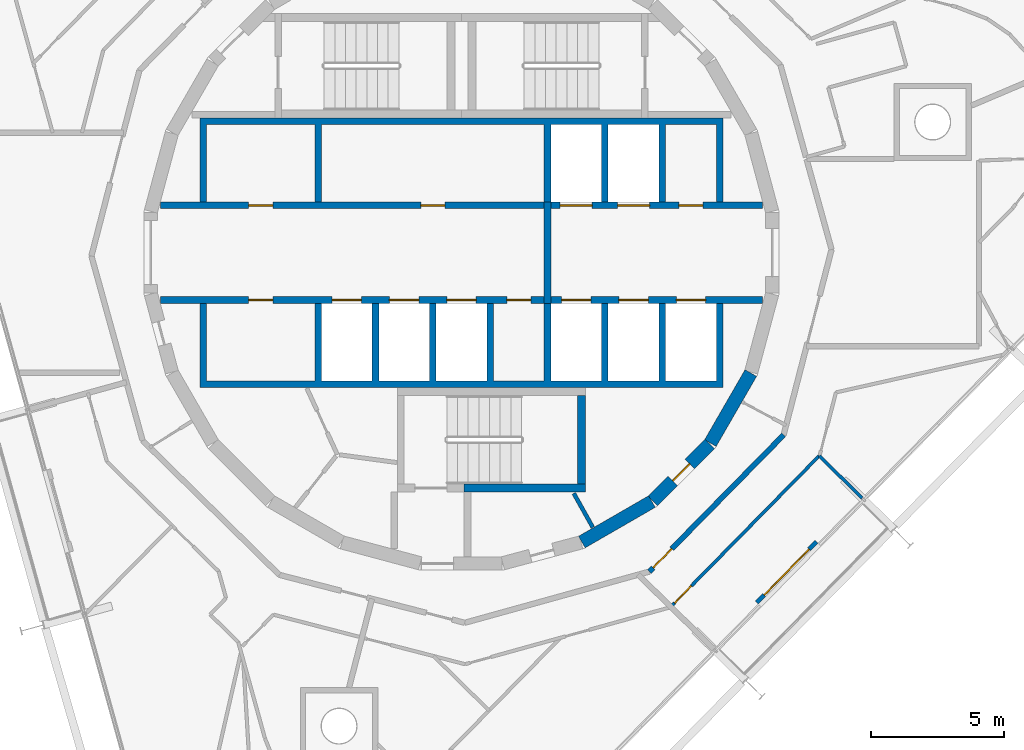
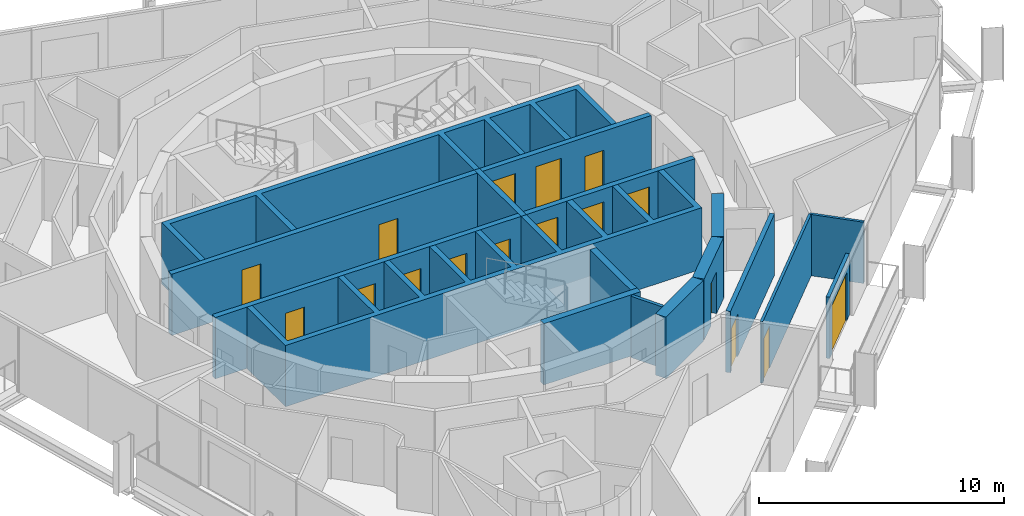
# One storey, part 11 of 15: 17 doors, 17 walls, 17 openings.
"""IFC4 building model written with IfcOpenShell, lengths in metres."""

from ifc_helpers import new_model, si_unit, direction, frame, frame_2d, origin, place, context, subcontext, project, spatial, polyline, rectangle, outline, extrude, material, layer, layer_set, type_object, element, fill, save


model = new_model("IFC4")

# Units and contexts
model_context = context("Model", 3, precision=1e-05, world=origin(), true_north=direction((0.0, 1.0)))
body_context = subcontext(model_context, "Body", "Model", "MODEL_VIEW")
ifc_project = project(units=[si_unit("LENGTHUNIT", "METRE"), si_unit("AREAUNIT", "SQUARE_METRE"), si_unit("VOLUMEUNIT", "CUBIC_METRE"), si_unit("PLANEANGLEUNIT", "RADIAN"), si_unit("MASSUNIT", "GRAM", prefix="KILO")], contexts=[model_context])

# Site, building, storey
site_placement = place(None, origin())
site = spatial("IfcSite", under=ifc_project, at=site_placement, CompositionType="ELEMENT")
building_placement = place(site_placement, origin())
building = spatial("IfcBuilding", under=site, at=building_placement, Name="Spindle Arch Residences", CompositionType="ELEMENT")
storey_placement = place(building_placement, frame((0.0, 0.0, 322.699951171875)))
storey = spatial("IfcBuildingStorey", under=building, at=storey_placement, Name="L83", CompositionType="ELEMENT", Elevation=322.699951171875)

# Wall
ifc_material_1 = material(Name="Concrete C50/60", Category="concrete")
ifc_layer_1 = layer(ifc_material_1, 0.5)
ifc_layer_set_1 = layer_set([ifc_layer_1], Name="Core outline wall 500")
wall_type_1 = type_object("IfcWallType", Name="Core outline wall 500", PredefinedType="SHEAR", material=ifc_layer_set_1)
wall_1_placement = place(storey_placement, frame((4.510498046875, -10.84521484375, 0.0), z_axis=(0.0, 0.0, 1.0), x_axis=(0.865975092491, 0.500087131594, 0.0)))
element("IfcWall", 1, at=wall_1_placement, inside=storey, type_object=wall_type_1, Name="Core outline wall 2", PredefinedType="SHEAR", context=body_context, shape_type="SweptSolid", body=[
    extrude(rectangle(XDim=3.03271484375, YDim=0.5, at=frame_2d((1.516357421875, 0.0))), origin(), (0.0, 0.0, 1.0), 3.050048828125),
])

# Wall, opening, door
wall_2_placement = place(storey_placement, frame((7.163818359375, -9.30810546875, 0.0), z_axis=(0.0, 0.0, 1.0), x_axis=(0.707106781187, 0.707106781187, 0.0)))
wall_2 = element("IfcWall", 2, at=wall_2_placement, inside=storey, type_object=wall_type_1, Name="Core outline wall 3", PredefinedType="SHEAR", context=body_context, shape_type="SweptSolid", body=[
    extrude(rectangle(XDim=3.032470703125, YDim=0.5, at=frame_2d((1.51611328125, 0.0))), origin(), (0.0, 0.0, 1.0), 3.050048828125),
])
opening_1_placement = place(wall_2_placement, frame((1.06640625, 0.0, 0.0)))
opening_1 = element("IfcOpeningElement", 3, at=opening_1_placement, cuts=wall_2, Name="Opening R8C1-WD08", PredefinedType="OPENING", context=body_context, shape_type="SweptSolid", body=[
    extrude(rectangle(XDim=0.89990234375, YDim=2.10009765625, at=frame_2d((0.449951171875, 1.050048828125))), frame((0.0, 0.260009765625, 0.0), z_axis=(0.0, -1.0, 0.0), x_axis=(1.0, 0.0, 0.0)), (0.0, 0.0, 1.0), 0.52001953125),
])
ifc_material_2 = material(Name="Steel, fire-resisting door", Category="steel")
door_type_1 = type_object("IfcDoorType", Name="Service room door 900x2100", OperationType="SINGLE_SWING_LEFT", PredefinedType="DOOR", material=ifc_material_2)
door_1_placement = place(opening_1_placement, origin())
door_1 = element("IfcDoor", 4, at=door_1_placement, inside=storey, type_object=door_type_1, Name="Service room door R8C1-WD08", OperationType="SINGLE_SWING_RIGHT", OverallHeight=2.10009765625, OverallWidth=0.89990234375, PredefinedType="DOOR", context=body_context, shape_type="SweptSolid", body=[
    extrude(rectangle(XDim=0.89990234375, YDim=2.10009765625, at=frame_2d((0.449951171875, 1.050048828125))), frame((0.0, 0.02490234375, 0.0), z_axis=(0.0, -1.0, 0.0), x_axis=(1.0, 0.0, 0.0)), (0.0, 0.0, 1.0), 0.050048828125),
])
fill(opening_1, door_1)

# Wall
wall_3_placement = place(storey_placement, frame((9.32861328125, -7.13671875, 0.0), z_axis=(0.0, 0.0, 1.0), x_axis=(0.500087131594, 0.865975092491, 0.0)))
element("IfcWall", 5, at=wall_3_placement, inside=storey, type_object=wall_type_1, Name="Core outline wall 4", PredefinedType="SHEAR", context=body_context, shape_type="SweptSolid", body=[
    extrude(rectangle(XDim=3.03271484375, YDim=0.5, at=frame_2d((1.516357421875, 0.0))), origin(), (0.0, 0.0, 1.0), 3.050048828125),
])

# Wall, opening, door
ifc_material_3 = material(Name="Calcium silicate block, plastered")
ifc_layer_2 = layer(ifc_material_3, 0.199951171875)
ifc_layer_set_2 = layer_set([ifc_layer_2], Name="Corridor wall 200")
wall_type_2 = type_object("IfcWallType", Name="Corridor wall 200", PredefinedType="STANDARD", material=ifc_layer_set_2)
wall_4_placement = place(storey_placement, frame((7.041015625, -11.953125, 0.0), z_axis=(0.0, 0.0, 1.0), x_axis=(0.70090916255, 0.713250549143, 0.0)))
wall_4 = element("IfcWall", 6, at=wall_4_placement, inside=storey, type_object=wall_type_2, Name="Corridor wall R8C1-W016", PredefinedType="STANDARD", context=body_context, shape_type="SweptSolid", body=[
    extrude(rectangle(XDim=7.180908203125, YDim=0.199951171875, at=frame_2d((3.59033203125, 0.0))), origin(), (0.0, 0.0, 1.0), 3.050048828125),
])
opening_2_placement = place(wall_4_placement, frame((0.199951171875, 0.0, 0.0)))
opening_2 = element("IfcOpeningElement", 7, at=opening_2_placement, cuts=wall_4, Name="Opening R8C1-FD06", PredefinedType="OPENING", context=body_context, shape_type="SweptSolid", body=[
    extrude(rectangle(XDim=1.0, YDim=2.10009765625, at=frame_2d((0.5, 1.050048828125))), frame((0.0, 0.10986328125, 0.0), z_axis=(0.0, -1.0, 0.0), x_axis=(1.0, 0.0, 0.0)), (0.0, 0.0, 1.0), 0.219970703125),
])
ifc_material_4 = material(Name="Timber, fire-resisting door set", Category="wood")
door_type_2 = type_object("IfcDoorType", Name="Flat entrance door 1000x2100", OperationType="NOTDEFINED", PredefinedType="DOOR", material=ifc_material_4)
door_2_placement = place(opening_2_placement, origin())
door_2 = element("IfcDoor", 8, at=door_2_placement, inside=storey, type_object=door_type_2, Name="Flat entrance door R8C1-FD06", OperationType="SINGLE_SWING_LEFT", OverallHeight=2.10009765625, OverallWidth=1.0, PredefinedType="DOOR", context=body_context, shape_type="SweptSolid", body=[
    extrude(rectangle(XDim=1.0, YDim=2.10009765625, at=frame_2d((0.5, 1.050048828125))), frame((0.0, 0.02490234375, 0.0), z_axis=(0.0, -1.0, 0.0), x_axis=(1.0, 0.0, 0.0)), (0.0, 0.0, 1.0), 0.050048828125),
])
fill(opening_2, door_2)

# Wall, openings, doors
ifc_material_5 = material(Name="Concrete C40/50", Category="concrete")
ifc_layer_3 = layer(ifc_material_5, 0.25)
ifc_layer_set_3 = layer_set([ifc_layer_3], Name="Fire-lift lobby wall 250")
wall_type_3 = type_object("IfcWallType", Name="Fire-lift lobby wall 250", PredefinedType="SHEAR", material=ifc_layer_set_3)
wall_5_placement = place(storey_placement, frame((3.35009765625, 1.77490234375, 0.0), z_axis=(0.0, 0.0, 1.0), x_axis=(1.0, 0.0, 0.0)))
wall_5 = element("IfcWall", 9, at=wall_5_placement, inside=storey, type_object=wall_type_3, Name="Lift shaft front wall NE", PredefinedType="SHEAR", context=body_context, shape_type="SweptSolid", body=[
    extrude(rectangle(XDim=7.929931640625, YDim=0.25, at=frame_2d((3.96484375, 0.0))), origin(), (0.0, 0.0, 1.0), 3.050048828125),
])
opening_3_placement = place(wall_5_placement, frame((0.35009765625, 0.0, 0.0)))
opening_3 = element("IfcOpeningElement", 10, at=opening_3_placement, cuts=wall_5, Name="Opening R8C1-SLD01", PredefinedType="OPENING", context=body_context, shape_type="SweptSolid", body=[
    extrude(rectangle(XDim=1.199951171875, YDim=2.39990234375, at=frame_2d((0.60009765625, 1.199951171875))), frame((0.0, 0.135009765625, 0.0), z_axis=(0.0, -1.0, 0.0), x_axis=(1.0, 0.0, 0.0)), (0.0, 0.0, 1.0), 0.27001953125),
])
opening_4_placement = place(wall_5_placement, frame((2.5, 0.0, 0.0)))
opening_4 = element("IfcOpeningElement", 11, at=opening_4_placement, cuts=wall_5, Name="Opening R8C1-SLD02", PredefinedType="OPENING", context=body_context, shape_type="SweptSolid", body=[
    extrude(rectangle(XDim=1.199951171875, YDim=2.39990234375, at=frame_2d((0.60009765625, 1.199951171875))), frame((0.0, 0.135009765625, 0.0), z_axis=(0.0, -1.0, 0.0), x_axis=(1.0, 0.0, 0.0)), (0.0, 0.0, 1.0), 0.27001953125),
])
opening_5_placement = place(wall_5_placement, frame((4.800048828125, 0.0, 0.0)))
opening_5 = element("IfcOpeningElement", 12, at=opening_5_placement, cuts=wall_5, Name="Opening R8C1-WD03", PredefinedType="OPENING", context=body_context, shape_type="SweptSolid", body=[
    extrude(rectangle(XDim=0.89990234375, YDim=2.10009765625, at=frame_2d((0.449951171875, 1.050048828125))), frame((0.0, 0.135009765625, 0.0), z_axis=(0.0, -1.0, 0.0), x_axis=(1.0, 0.0, 0.0)), (0.0, 0.0, 1.0), 0.27001953125),
])
ifc_material_6 = material(Name="Steel, fire-resisting landing door", Category="steel")
door_type_3 = type_object("IfcDoorType", Name="Service lift landing door 1200x2400", OperationType="DOUBLE_DOOR_SLIDING", PredefinedType="DOOR", material=ifc_material_6)
door_3_placement = place(opening_3_placement, origin())
door_3 = element("IfcDoor", 13, at=door_3_placement, inside=storey, type_object=door_type_3, Name="Service lift landing door R8C1-SLD01", OperationType="DOUBLE_DOOR_SLIDING", OverallHeight=2.39990234375, OverallWidth=1.199951171875, PredefinedType="DOOR", context=body_context, shape_type="SweptSolid", body=[
    extrude(rectangle(XDim=1.199951171875, YDim=2.39990234375, at=frame_2d((0.60009765625, 1.199951171875))), frame((0.0, 0.02490234375, 0.0), z_axis=(0.0, -1.0, 0.0), x_axis=(1.0, 0.0, 0.0)), (0.0, 0.0, 1.0), 0.050048828125),
])
fill(opening_3, door_3)
door_4_placement = place(opening_4_placement, origin())
door_4 = element("IfcDoor", 14, at=door_4_placement, inside=storey, type_object=door_type_3, Name="Service lift landing door R8C1-SLD02", OperationType="DOUBLE_DOOR_SLIDING", OverallHeight=2.39990234375, OverallWidth=1.199951171875, PredefinedType="DOOR", context=body_context, shape_type="SweptSolid", body=[
    extrude(rectangle(XDim=1.199951171875, YDim=2.39990234375, at=frame_2d((0.60009765625, 1.199951171875))), frame((0.0, 0.02490234375, 0.0), z_axis=(0.0, -1.0, 0.0), x_axis=(1.0, 0.0, 0.0)), (0.0, 0.0, 1.0), 0.050048828125),
])
fill(opening_4, door_4)
door_5_placement = place(opening_5_placement, origin())
door_5 = element("IfcDoor", 15, at=door_5_placement, inside=storey, type_object=door_type_1, Name="Service room door R8C1-WD03", OperationType="SINGLE_SWING_LEFT", OverallHeight=2.10009765625, OverallWidth=0.89990234375, PredefinedType="DOOR", context=body_context, shape_type="SweptSolid", body=[
    extrude(rectangle(XDim=0.89990234375, YDim=2.10009765625, at=frame_2d((0.449951171875, 1.050048828125))), frame((0.0, 0.02490234375, 0.0), z_axis=(0.0, -1.0, 0.0), x_axis=(1.0, 0.0, 0.0)), (0.0, 0.0, 1.0), 0.050048828125),
])
fill(opening_5, door_5)

# Wall
wall_6_placement = place(storey_placement, frame((3.22509765625, -1.89990234375, 0.0), z_axis=(0.0, 0.0, 1.0), x_axis=(0.0, 1.0, 0.0)))
element("IfcWall", 16, at=wall_6_placement, inside=storey, type_object=wall_type_3, Name="Fire-fighting lobby partition", PredefinedType="SHEAR", context=body_context, shape_type="SweptSolid", body=[
    extrude(rectangle(XDim=3.7998046875, YDim=0.25, at=frame_2d((1.89990234375, 0.0))), origin(), (0.0, 0.0, 1.0), 3.050048828125),
])

# Wall, openings, doors
ifc_material_7 = material(Name="Concrete C50/60", Category="concrete")
ifc_layer_4 = layer(ifc_material_7, 0.25)
ifc_layer_set_4 = layer_set([ifc_layer_4], Name="Fire-lift shaft wall 250")
wall_type_4 = type_object("IfcWallType", Name="Fire-lift shaft wall 250", PredefinedType="SHEAR", material=ifc_layer_set_4)
wall_7_placement = place(storey_placement, frame((3.35009765625, -1.77490234375, 0.0), z_axis=(0.0, 0.0, 1.0), x_axis=(1.0, 0.0, 0.0)))
wall_7 = element("IfcWall", 17, at=wall_7_placement, inside=storey, type_object=wall_type_4, Name="Lift shaft front wall SE", PredefinedType="SHEAR", context=body_context, shape_type="SweptSolid", body=[
    extrude(rectangle(XDim=7.929931640625, YDim=0.25, at=frame_2d((3.96484375, 0.0))), origin(), (0.0, 0.0, 1.0), 3.050048828125),
])
opening_6_placement = place(wall_7_placement, frame((0.39990234375, 0.0, 0.0)))
opening_6 = element("IfcOpeningElement", 18, at=opening_6_placement, cuts=wall_7, Name="Opening R8C1-FLD01", PredefinedType="OPENING", context=body_context, shape_type="SweptSolid", body=[
    extrude(rectangle(XDim=1.10009765625, YDim=2.39990234375, at=frame_2d((0.550048828125, 1.199951171875))), frame((0.0, 0.135009765625, 0.0), z_axis=(0.0, -1.0, 0.0), x_axis=(1.0, 0.0, 0.0)), (0.0, 0.0, 1.0), 0.27001953125),
])
opening_7_placement = place(wall_7_placement, frame((2.550048828125, 0.0, 0.0)))
opening_7 = element("IfcOpeningElement", 19, at=opening_7_placement, cuts=wall_7, Name="Opening R8C1-FLD02", PredefinedType="OPENING", context=body_context, shape_type="SweptSolid", body=[
    extrude(rectangle(XDim=1.10009765625, YDim=2.39990234375, at=frame_2d((0.550048828125, 1.199951171875))), frame((0.0, 0.135009765625, 0.0), z_axis=(0.0, -1.0, 0.0), x_axis=(1.0, 0.0, 0.0)), (0.0, 0.0, 1.0), 0.27001953125),
])
opening_8_placement = place(wall_7_placement, frame((4.699951171875, 0.0, 0.0)))
opening_8 = element("IfcOpeningElement", 20, at=opening_8_placement, cuts=wall_7, Name="Opening R8C1-FLD03", PredefinedType="OPENING", context=body_context, shape_type="SweptSolid", body=[
    extrude(rectangle(XDim=1.10009765625, YDim=2.39990234375, at=frame_2d((0.550048828125, 1.199951171875))), frame((0.0, 0.135009765625, 0.0), z_axis=(0.0, -1.0, 0.0), x_axis=(1.0, 0.0, 0.0)), (0.0, 0.0, 1.0), 0.27001953125),
])
ifc_material_8 = material(Name="Steel, fire-resisting landing door", Category="steel")
door_type_4 = type_object("IfcDoorType", Name="Fire-fighting lift landing door 1100x2400", OperationType="DOUBLE_DOOR_SLIDING", PredefinedType="DOOR", material=ifc_material_8)
door_6_placement = place(opening_6_placement, origin())
door_6 = element("IfcDoor", 21, at=door_6_placement, inside=storey, type_object=door_type_4, Name="Fire-fighting lift landing door R8C1-FLD01", OperationType="DOUBLE_DOOR_SLIDING", OverallHeight=2.39990234375, OverallWidth=1.10009765625, PredefinedType="DOOR", context=body_context, shape_type="SweptSolid", body=[
    extrude(rectangle(XDim=1.10009765625, YDim=2.39990234375, at=frame_2d((0.550048828125, 1.199951171875))), frame((0.0, 0.02490234375, 0.0), z_axis=(0.0, -1.0, 0.0), x_axis=(1.0, 0.0, 0.0)), (0.0, 0.0, 1.0), 0.050048828125),
])
fill(opening_6, door_6)
door_7_placement = place(opening_7_placement, origin())
door_7 = element("IfcDoor", 22, at=door_7_placement, inside=storey, type_object=door_type_4, Name="Fire-fighting lift landing door R8C1-FLD02", OperationType="DOUBLE_DOOR_SLIDING", OverallHeight=2.39990234375, OverallWidth=1.10009765625, PredefinedType="DOOR", context=body_context, shape_type="SweptSolid", body=[
    extrude(rectangle(XDim=1.10009765625, YDim=2.39990234375, at=frame_2d((0.550048828125, 1.199951171875))), frame((0.0, 0.02490234375, 0.0), z_axis=(0.0, -1.0, 0.0), x_axis=(1.0, 0.0, 0.0)), (0.0, 0.0, 1.0), 0.050048828125),
])
fill(opening_7, door_7)
door_8_placement = place(opening_8_placement, origin())
door_8 = element("IfcDoor", 23, at=door_8_placement, inside=storey, type_object=door_type_4, Name="Fire-fighting lift landing door R8C1-FLD03", OperationType="DOUBLE_DOOR_SLIDING", OverallHeight=2.39990234375, OverallWidth=1.10009765625, PredefinedType="DOOR", context=body_context, shape_type="SweptSolid", body=[
    extrude(rectangle(XDim=1.10009765625, YDim=2.39990234375, at=frame_2d((0.550048828125, 1.199951171875))), frame((0.0, 0.02490234375, 0.0), z_axis=(0.0, -1.0, 0.0), x_axis=(1.0, 0.0, 0.0)), (0.0, 0.0, 1.0), 0.050048828125),
])
fill(opening_8, door_8)

# Wall, opening, door
ifc_material_9 = material(Name="Plasterboard on steel studs", Category="steel")
ifc_layer_5 = layer(ifc_material_9, 0.1201171875)
ifc_layer_set_5 = layer_set([ifc_layer_5], Name="Flat partition 120")
wall_type_5 = type_object("IfcWallType", Name="Flat partition 120", PredefinedType="PARTITIONING", material=ifc_layer_set_5)
wall_8_placement = place(storey_placement, frame((7.846435546875, -13.2734375, 0.0), z_axis=(0.0, 0.0, 1.0), x_axis=(0.700911018066, 0.713248725728, 0.0)))
wall_8 = element("IfcWall", 24, at=wall_8_placement, inside=storey, type_object=wall_type_5, Name="Flat partition R8C1-W093", PredefinedType="PARTITIONING", context=body_context, shape_type="SweptSolid", body=[
    extrude(rectangle(XDim=7.93505859375, YDim=0.1201171875, at=frame_2d((3.967529296875, 0.0))), origin(), (0.0, 0.0, 1.0), 3.050048828125),
])
opening_9_placement = place(wall_8_placement, frame((0.199951171875, 0.0, 0.0)))
opening_9 = element("IfcOpeningElement", 25, at=opening_9_placement, cuts=wall_8, Name="Opening R8C1-ID22", PredefinedType="OPENING", context=body_context, shape_type="SweptSolid", body=[
    extrude(rectangle(XDim=0.89990234375, YDim=2.10009765625, at=frame_2d((0.449951171875, 1.050048828125))), frame((0.0, 0.070068359375, 0.0), z_axis=(0.0, -1.0, 0.0), x_axis=(1.0, 0.0, 0.0)), (0.0, 0.0, 1.0), 0.14013671875),
])
ifc_material_10 = material(Name="Timber door set", Category="wood")
door_type_5 = type_object("IfcDoorType", Name="Room door 900x2100", OperationType="NOTDEFINED", PredefinedType="DOOR", material=ifc_material_10)
door_9_placement = place(opening_9_placement, origin())
door_9 = element("IfcDoor", 26, at=door_9_placement, inside=storey, type_object=door_type_5, Name="Room door R8C1-ID22", OperationType="SINGLE_SWING_LEFT", OverallHeight=2.10009765625, OverallWidth=0.89990234375, PredefinedType="DOOR", context=body_context, shape_type="SweptSolid", body=[
    extrude(rectangle(XDim=0.89990234375, YDim=2.10009765625, at=frame_2d((0.449951171875, 1.050048828125))), frame((0.0, 0.02490234375, 0.0), z_axis=(0.0, -1.0, 0.0), x_axis=(1.0, 0.0, 0.0)), (0.0, 0.0, 1.0), 0.050048828125),
])
fill(opening_9, door_9)

# Wall
wall_9_placement = place(storey_placement, frame((15.023681640625, -9.200927734375, 0.0), z_axis=(0.0, 0.0, 1.0), x_axis=(-0.713331704042, 0.700826569137, 0.0)))
element("IfcWall", 27, at=wall_9_placement, inside=storey, type_object=wall_type_5, Name="Flat partition R8C1-W105", PredefinedType="PARTITIONING", context=body_context, shape_type="SweptSolid", body=[
    extrude(rectangle(XDim=2.2646484375, YDim=0.1201171875, at=frame_2d((1.13232421875, 0.0))), origin(), (0.0, 0.0, 1.0), 3.050048828125),
])

# Wall, opening, door
ifc_material_11 = material(Name="Non-combustible mineral wool insulated aluminium faced external wall (K0)", Category="aluminium")
ifc_layer_6 = layer(ifc_material_11, 0.159912109375)
ifc_layer_set_6 = layer_set([ifc_layer_6], Name="Insulated external wall panel 160")
wall_type_6 = type_object("IfcWallType", Name="Insulated external wall panel 160", PredefinedType="STANDARD", material=ifc_layer_set_6)
wall_10_placement = place(storey_placement, frame((11.064208984375, -13.115966796875, 0.0), z_axis=(0.0, 0.0, 1.0), x_axis=(0.700900076932, 0.713259477439, 0.0)))
wall_10 = element("IfcWall", 28, at=wall_10_placement, inside=storey, type_object=wall_type_6, Name="External wall L83 bay 20", PredefinedType="STANDARD", context=body_context, shape_type="SweptSolid", body=[
    extrude(rectangle(XDim=3.199951171875, YDim=0.159912109375, at=frame_2d((1.60009765625, 0.0))), origin(), (0.0, 0.0, 1.0), 3.050048828125),
])
opening_10_placement = place(wall_10_placement, frame((0.39990234375, 0.0, 0.0)))
opening_10 = element("IfcOpeningElement", 29, at=opening_10_placement, cuts=wall_10, Name="Opening BD20", PredefinedType="OPENING", context=body_context, shape_type="SweptSolid", body=[
    extrude(rectangle(XDim=2.39990234375, YDim=2.39990234375, at=frame_2d((1.199951171875, 1.199951171875))), frame((0.0, 0.08984375, 0.0), z_axis=(0.0, -1.0, 0.0), x_axis=(1.0, 0.0, 0.0)), (0.0, 0.0, 1.0), 0.179931640625),
])
ifc_material_12 = material(Name="Bronze aluminium frame, tinted double glazing", Category="aluminium")
door_type_6 = type_object("IfcDoorType", Name="Sliding glazed balcony door 2400x2400", OperationType="DOUBLE_DOOR_SLIDING", PredefinedType="DOOR", material=ifc_material_12)
door_10_placement = place(opening_10_placement, origin())
door_10 = element("IfcDoor", 30, at=door_10_placement, inside=storey, type_object=door_type_6, Name="Balcony door BD20", OperationType="DOUBLE_DOOR_SLIDING", OverallHeight=2.39990234375, OverallWidth=2.39990234375, PredefinedType="DOOR", context=body_context, shape_type="SweptSolid", body=[
    extrude(rectangle(XDim=2.39990234375, YDim=2.39990234375, at=frame_2d((1.199951171875, 1.199951171875))), frame((0.0, 0.02490234375, 0.0), z_axis=(0.0, -1.0, 0.0), x_axis=(1.0, 0.0, 0.0)), (0.0, 0.0, 1.0), 0.050048828125),
])
fill(opening_10, door_10)

# Wall, openings, doors
ifc_material_13 = material(Name="Concrete C50/60", Category="concrete")
ifc_layer_7 = layer(ifc_material_13, 0.25)
ifc_layer_set_7 = layer_set([ifc_layer_7], Name="Lift shaft wall 250")
wall_type_7 = type_object("IfcWallType", Name="Lift shaft wall 250", PredefinedType="SHEAR", material=ifc_layer_set_7)
wall_11_placement = place(storey_placement, frame((-11.280029296875, 1.77490234375, 0.0), z_axis=(0.0, 0.0, 1.0), x_axis=(1.0, 0.0, 0.0)))
wall_11 = element("IfcWall", 31, at=wall_11_placement, inside=storey, type_object=wall_type_7, Name="Lift shaft front wall NW", PredefinedType="SHEAR", context=body_context, shape_type="SweptSolid", body=[
    extrude(rectangle(XDim=14.380126953125, YDim=0.25, at=frame_2d((7.18994140625, 0.0))), origin(), (0.0, 0.0, 1.0), 3.050048828125),
])
opening_11_placement = place(wall_11_placement, frame((3.304931640625, 0.0, 0.0)))
opening_11 = element("IfcOpeningElement", 32, at=opening_11_placement, cuts=wall_11, Name="Opening R8C1-WD01", PredefinedType="OPENING", context=body_context, shape_type="SweptSolid", body=[
    extrude(rectangle(XDim=0.89990234375, YDim=2.10009765625, at=frame_2d((0.449951171875, 1.050048828125))), frame((0.0, 0.135009765625, 0.0), z_axis=(0.0, -1.0, 0.0), x_axis=(1.0, 0.0, 0.0)), (0.0, 0.0, 1.0), 0.27001953125),
])
opening_12_placement = place(wall_11_placement, frame((9.7548828125, 0.0, 0.0)))
opening_12 = element("IfcOpeningElement", 33, at=opening_12_placement, cuts=wall_11, Name="Opening R8C1-WD02", PredefinedType="OPENING", context=body_context, shape_type="SweptSolid", body=[
    extrude(rectangle(XDim=0.89990234375, YDim=2.10009765625, at=frame_2d((0.449951171875, 1.050048828125))), frame((0.0, 0.135009765625, 0.0), z_axis=(0.0, -1.0, 0.0), x_axis=(1.0, 0.0, 0.0)), (0.0, 0.0, 1.0), 0.27001953125),
])
door_11_placement = place(opening_11_placement, origin())
door_11 = element("IfcDoor", 34, at=door_11_placement, inside=storey, type_object=door_type_1, Name="Service room door R8C1-WD01", OperationType="SINGLE_SWING_LEFT", OverallHeight=2.10009765625, OverallWidth=0.89990234375, PredefinedType="DOOR", context=body_context, shape_type="SweptSolid", body=[
    extrude(rectangle(XDim=0.89990234375, YDim=2.10009765625, at=frame_2d((0.449951171875, 1.050048828125))), frame((0.0, 0.02490234375, 0.0), z_axis=(0.0, -1.0, 0.0), x_axis=(1.0, 0.0, 0.0)), (0.0, 0.0, 1.0), 0.050048828125),
])
fill(opening_11, door_11)
door_12_placement = place(opening_12_placement, origin())
door_12 = element("IfcDoor", 35, at=door_12_placement, inside=storey, type_object=door_type_1, Name="Service room door R8C1-WD02", OperationType="SINGLE_SWING_RIGHT", OverallHeight=2.10009765625, OverallWidth=0.89990234375, PredefinedType="DOOR", context=body_context, shape_type="SweptSolid", body=[
    extrude(rectangle(XDim=0.89990234375, YDim=2.10009765625, at=frame_2d((0.449951171875, 1.050048828125))), frame((0.0, 0.02490234375, 0.0), z_axis=(0.0, -1.0, 0.0), x_axis=(1.0, 0.0, 0.0)), (0.0, 0.0, 1.0), 0.050048828125),
])
fill(opening_12, door_12)

wall_12_placement = place(storey_placement, frame((-11.280029296875, -1.77490234375, 0.0), z_axis=(0.0, 0.0, 1.0), x_axis=(1.0, 0.0, 0.0)))
wall_12 = element("IfcWall", 36, at=wall_12_placement, inside=storey, type_object=wall_type_7, Name="Lift shaft front wall SW", PredefinedType="SHEAR", context=body_context, shape_type="SweptSolid", body=[
    extrude(rectangle(XDim=14.380126953125, YDim=0.25, at=frame_2d((7.18994140625, 0.0))), origin(), (0.0, 0.0, 1.0), 3.050048828125),
])
opening_13_placement = place(wall_12_placement, frame((6.429931640625, 0.0, 0.0)))
opening_13 = element("IfcOpeningElement", 37, at=opening_13_placement, cuts=wall_12, Name="Opening R8C1-LD01", PredefinedType="OPENING", context=body_context, shape_type="SweptSolid", body=[
    extrude(rectangle(XDim=1.10009765625, YDim=2.10009765625, at=frame_2d((0.550048828125, 1.050048828125))), frame((0.0, 0.135009765625, 0.0), z_axis=(0.0, -1.0, 0.0), x_axis=(1.0, 0.0, 0.0)), (0.0, 0.0, 1.0), 0.27001953125),
])
opening_14_placement = place(wall_12_placement, frame((8.580078125, 0.0, 0.0)))
opening_14 = element("IfcOpeningElement", 38, at=opening_14_placement, cuts=wall_12, Name="Opening R8C1-LD02", PredefinedType="OPENING", context=body_context, shape_type="SweptSolid", body=[
    extrude(rectangle(XDim=1.10009765625, YDim=2.10009765625, at=frame_2d((0.550048828125, 1.050048828125))), frame((0.0, 0.135009765625, 0.0), z_axis=(0.0, -1.0, 0.0), x_axis=(1.0, 0.0, 0.0)), (0.0, 0.0, 1.0), 0.27001953125),
])
opening_15_placement = place(wall_12_placement, frame((10.72998046875, 0.0, 0.0)))
opening_15 = element("IfcOpeningElement", 39, at=opening_15_placement, cuts=wall_12, Name="Opening R8C1-LD03", PredefinedType="OPENING", context=body_context, shape_type="SweptSolid", body=[
    extrude(rectangle(XDim=1.10009765625, YDim=2.10009765625, at=frame_2d((0.550048828125, 1.050048828125))), frame((0.0, 0.135009765625, 0.0), z_axis=(0.0, -1.0, 0.0), x_axis=(1.0, 0.0, 0.0)), (0.0, 0.0, 1.0), 0.27001953125),
])
opening_16_placement = place(wall_12_placement, frame((3.304931640625, 0.0, 0.0)))
opening_16 = element("IfcOpeningElement", 40, at=opening_16_placement, cuts=wall_12, Name="Opening R8C1-WD04", PredefinedType="OPENING", context=body_context, shape_type="SweptSolid", body=[
    extrude(rectangle(XDim=0.89990234375, YDim=2.10009765625, at=frame_2d((0.449951171875, 1.050048828125))), frame((0.0, 0.135009765625, 0.0), z_axis=(0.0, -1.0, 0.0), x_axis=(1.0, 0.0, 0.0)), (0.0, 0.0, 1.0), 0.27001953125),
])
opening_17_placement = place(wall_12_placement, frame((12.97998046875, 0.0, 0.0)))
opening_17 = element("IfcOpeningElement", 41, at=opening_17_placement, cuts=wall_12, Name="Opening R8C1-WD05", PredefinedType="OPENING", context=body_context, shape_type="SweptSolid", body=[
    extrude(rectangle(XDim=0.89990234375, YDim=2.10009765625, at=frame_2d((0.449951171875, 1.050048828125))), frame((0.0, 0.135009765625, 0.0), z_axis=(0.0, -1.0, 0.0), x_axis=(1.0, 0.0, 0.0)), (0.0, 0.0, 1.0), 0.27001953125),
])
ifc_material_14 = material(Name="Steel, fire-resisting landing door", Category="steel")
door_type_7 = type_object("IfcDoorType", Name="Lift landing door 1100x2100", OperationType="DOUBLE_DOOR_SLIDING", PredefinedType="DOOR", material=ifc_material_14)
door_13_placement = place(opening_13_placement, origin())
door_13 = element("IfcDoor", 42, at=door_13_placement, inside=storey, type_object=door_type_7, Name="Lift landing door R8C1-LD01", OperationType="DOUBLE_DOOR_SLIDING", OverallHeight=2.10009765625, OverallWidth=1.10009765625, PredefinedType="DOOR", context=body_context, shape_type="SweptSolid", body=[
    extrude(rectangle(XDim=1.10009765625, YDim=2.10009765625, at=frame_2d((0.550048828125, 1.050048828125))), frame((0.0, 0.02490234375, 0.0), z_axis=(0.0, -1.0, 0.0), x_axis=(1.0, 0.0, 0.0)), (0.0, 0.0, 1.0), 0.050048828125),
])
fill(opening_13, door_13)
door_14_placement = place(opening_14_placement, origin())
door_14 = element("IfcDoor", 43, at=door_14_placement, inside=storey, type_object=door_type_7, Name="Lift landing door R8C1-LD02", OperationType="DOUBLE_DOOR_SLIDING", OverallHeight=2.10009765625, OverallWidth=1.10009765625, PredefinedType="DOOR", context=body_context, shape_type="SweptSolid", body=[
    extrude(rectangle(XDim=1.10009765625, YDim=2.10009765625, at=frame_2d((0.550048828125, 1.050048828125))), frame((0.0, 0.02490234375, 0.0), z_axis=(0.0, -1.0, 0.0), x_axis=(1.0, 0.0, 0.0)), (0.0, 0.0, 1.0), 0.050048828125),
])
fill(opening_14, door_14)
door_15_placement = place(opening_15_placement, origin())
door_15 = element("IfcDoor", 44, at=door_15_placement, inside=storey, type_object=door_type_7, Name="Lift landing door R8C1-LD03", OperationType="DOUBLE_DOOR_SLIDING", OverallHeight=2.10009765625, OverallWidth=1.10009765625, PredefinedType="DOOR", context=body_context, shape_type="SweptSolid", body=[
    extrude(rectangle(XDim=1.10009765625, YDim=2.10009765625, at=frame_2d((0.550048828125, 1.050048828125))), frame((0.0, 0.02490234375, 0.0), z_axis=(0.0, -1.0, 0.0), x_axis=(1.0, 0.0, 0.0)), (0.0, 0.0, 1.0), 0.050048828125),
])
fill(opening_15, door_15)
door_16_placement = place(opening_16_placement, origin())
door_16 = element("IfcDoor", 45, at=door_16_placement, inside=storey, type_object=door_type_1, Name="Service room door R8C1-WD04", OperationType="SINGLE_SWING_RIGHT", OverallHeight=2.10009765625, OverallWidth=0.89990234375, PredefinedType="DOOR", context=body_context, shape_type="SweptSolid", body=[
    extrude(rectangle(XDim=0.89990234375, YDim=2.10009765625, at=frame_2d((0.449951171875, 1.050048828125))), frame((0.0, 0.02490234375, 0.0), z_axis=(0.0, -1.0, 0.0), x_axis=(1.0, 0.0, 0.0)), (0.0, 0.0, 1.0), 0.050048828125),
])
fill(opening_16, door_16)
door_17_placement = place(opening_17_placement, origin())
door_17 = element("IfcDoor", 46, at=door_17_placement, inside=storey, type_object=door_type_1, Name="Service room door R8C1-WD05", OperationType="SINGLE_SWING_LEFT", OverallHeight=2.10009765625, OverallWidth=0.89990234375, PredefinedType="DOOR", context=body_context, shape_type="SweptSolid", body=[
    extrude(rectangle(XDim=0.89990234375, YDim=2.10009765625, at=frame_2d((0.449951171875, 1.050048828125))), frame((0.0, 0.02490234375, 0.0), z_axis=(0.0, -1.0, 0.0), x_axis=(1.0, 0.0, 0.0)), (0.0, 0.0, 1.0), 0.050048828125),
])
fill(opening_17, door_17)

# Walls
ifc_material_15 = material(Name="Concrete C50/60", Category="concrete")
wall_type_8 = type_object("IfcWallType", Name="Lift shaft wall profile", PredefinedType="SHEAR", material=ifc_material_15)
wall_13_placement = place(storey_placement, origin())
element("IfcWall", 47, at=wall_13_placement, inside=storey, type_object=wall_type_8, Name="Lift shaft walls N", PredefinedType="SHEAR", context=body_context, shape_type="SweptSolid", body=[
    extrude(outline(polyline([(-9.800048828125, 1.89990234375), (-9.550048828125, 1.89990234375), (-9.550048828125, 4.800048828125), (-5.5, 4.800048828125), (-5.5, 1.89990234375), (-5.25, 1.89990234375), (-5.25, 4.800048828125), (3.10009765625, 4.800048828125), (3.10009765625, 1.89990234375), (3.35009765625, 1.89990234375), (3.35009765625, 4.800048828125), (5.25, 4.800048828125), (5.25, 1.89990234375), (5.5, 1.89990234375), (5.5, 4.800048828125), (7.39990234375, 4.800048828125), (7.39990234375, 1.89990234375), (7.64990234375, 1.89990234375), (7.64990234375, 4.800048828125), (9.550048828125, 4.800048828125), (9.550048828125, 1.89990234375), (9.800048828125, 1.89990234375), (9.800048828125, 4.800048828125), (9.800048828125, 5.050048828125), (-9.800048828125, 5.050048828125), (-9.800048828125, 4.800048828125), (-9.800048828125, 1.89990234375)])), origin(), (0.0, 0.0, 1.0), 3.050048828125),
])
wall_14_placement = place(storey_placement, origin())
element("IfcWall", 48, at=wall_14_placement, inside=storey, type_object=wall_type_8, Name="Lift shaft walls S", PredefinedType="SHEAR", context=body_context, shape_type="SweptSolid", body=[
    extrude(outline(polyline([(9.800048828125, -5.050048828125), (9.800048828125, -4.800048828125), (9.800048828125, -1.89990234375), (9.550048828125, -1.89990234375), (9.550048828125, -4.800048828125), (7.64990234375, -4.800048828125), (7.64990234375, -1.89990234375), (7.39990234375, -1.89990234375), (7.39990234375, -4.800048828125), (5.5, -4.800048828125), (5.5, -1.89990234375), (5.25, -1.89990234375), (5.25, -4.800048828125), (3.35009765625, -4.800048828125), (3.35009765625, -1.89990234375), (3.10009765625, -1.89990234375), (3.10009765625, -4.800048828125), (1.199951171875, -4.800048828125), (1.199951171875, -1.89990234375), (0.949951171875, -1.89990234375), (0.949951171875, -4.800048828125), (-0.949951171875, -4.800048828125), (-0.949951171875, -1.89990234375), (-1.199951171875, -1.89990234375), (-1.199951171875, -4.800048828125), (-3.10009765625, -4.800048828125), (-3.10009765625, -1.89990234375), (-3.35009765625, -1.89990234375), (-3.35009765625, -4.800048828125), (-5.25, -4.800048828125), (-5.25, -1.89990234375), (-5.5, -1.89990234375), (-5.5, -4.800048828125), (-9.550048828125, -4.800048828125), (-9.550048828125, -1.89990234375), (-9.800048828125, -1.89990234375), (-9.800048828125, -4.800048828125), (-9.800048828125, -5.050048828125), (9.800048828125, -5.050048828125)])), origin(), (0.0, 0.0, 1.0), 3.050048828125),
])
ifc_material_16 = material(Name="Concrete C25/30", Category="concrete")
ifc_layer_8 = layer(ifc_material_16, 0.14990234375)
ifc_layer_set_8 = layer_set([ifc_layer_8], Name="Service room partition 150")
wall_type_9 = type_object("IfcWallType", Name="Service room partition 150", PredefinedType="PARTITIONING", material=ifc_layer_set_8)
wall_15_placement = place(storey_placement, frame((4.922119140625, -10.295654296875, 0.0), z_axis=(0.0, 0.0, 1.0), x_axis=(-0.48860846254, 0.872503163509, 0.0)))
element("IfcWall", 49, at=wall_15_placement, inside=storey, type_object=wall_type_9, Name="Core service room partition", PredefinedType="PARTITIONING", context=body_context, shape_type="SweptSolid", body=[
    extrude(rectangle(XDim=1.45947265625, YDim=0.14990234375, at=frame_2d((0.729736328125, 0.0))), origin(), (0.0, 0.0, 1.0), 3.050048828125),
])
ifc_material_17 = material(Name="Concrete C50/60", Category="concrete")
ifc_layer_9 = layer(ifc_material_17, 0.300048828125)
ifc_layer_set_9 = layer_set([ifc_layer_9], Name="Stair enclosure wall 300")
wall_type_10 = type_object("IfcWallType", Name="Stair enclosure wall 300", PredefinedType="SHEAR", material=ifc_layer_set_9)
wall_16_placement = place(storey_placement, frame((4.5, -8.669921875, 0.0), z_axis=(0.0, 0.0, 1.0), x_axis=(0.0, 1.0, 0.0)))
element("IfcWall", 50, at=wall_16_placement, inside=storey, type_object=wall_type_10, Name="Stair ST-3 enclosure wall E", PredefinedType="SHEAR", context=body_context, shape_type="SweptSolid", body=[
    extrude(rectangle(XDim=3.31982421875, YDim=0.300048828125, at=frame_2d((1.659912109375, 0.0))), origin(), (0.0, 0.0, 1.0), 3.050048828125),
])
wall_17_placement = place(storey_placement, frame((0.10009765625, -8.820068359375, 0.0), z_axis=(0.0, 0.0, 1.0), x_axis=(1.0, 0.0, 0.0)))
element("IfcWall", 51, at=wall_17_placement, inside=storey, type_object=wall_type_10, Name="Stair ST-3 enclosure wall S", PredefinedType="SHEAR", context=body_context, shape_type="SweptSolid", body=[
    extrude(rectangle(XDim=4.5498046875, YDim=0.300048828125, at=frame_2d((2.27490234375, 0.0))), origin(), (0.0, 0.0, 1.0), 3.050048828125),
])

save(model, "model.ifc")
